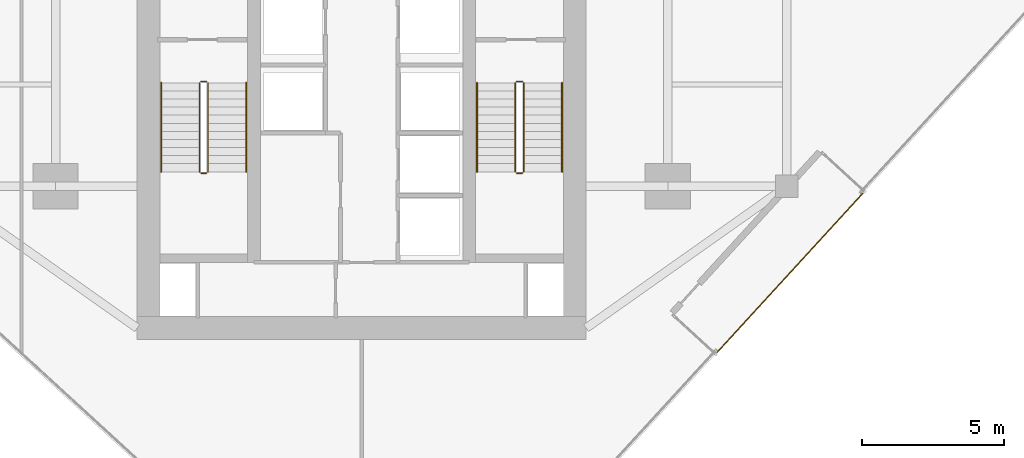
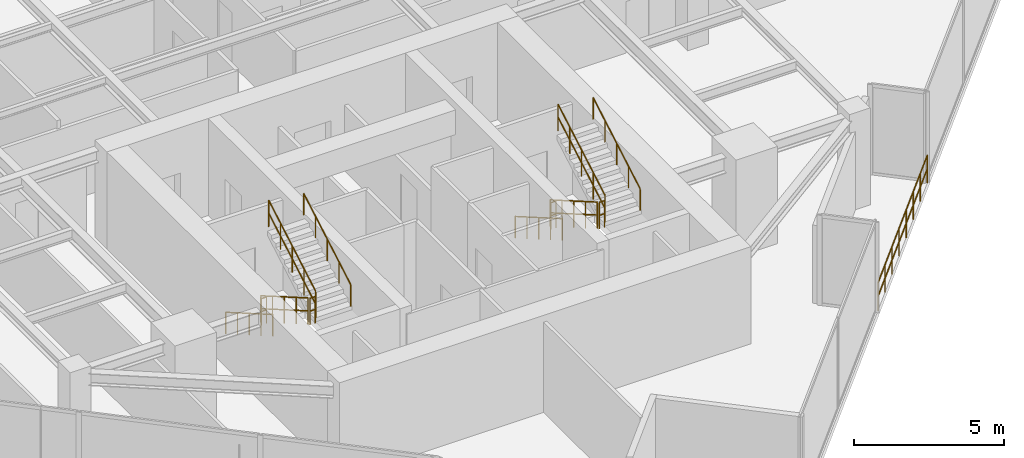
# One storey, part 25 of 26: 13 railings.
"""IFC4 building model written with IfcOpenShell, lengths in metres."""

from ifc_helpers import new_model, si_unit, direction, frame, origin, origin_2d, place, context, subcontext, project, spatial, circle, extrude, material, layer, layer_set, type_object, element, save


model = new_model("IFC4")

# Units and contexts
model_context = context("Model", 3, precision=1e-05, world=origin(), true_north=direction((0.0, 1.0)))
body_context = subcontext(model_context, "Body", "Model", "MODEL_VIEW")
ifc_project = project(units=[si_unit("LENGTHUNIT", "METRE"), si_unit("AREAUNIT", "SQUARE_METRE"), si_unit("VOLUMEUNIT", "CUBIC_METRE"), si_unit("PLANEANGLEUNIT", "RADIAN"), si_unit("MASSUNIT", "GRAM", prefix="KILO")], contexts=[model_context])

# Site, building, storey
site_placement = place(None, origin())
site = spatial("IfcSite", under=ifc_project, at=site_placement, CompositionType="ELEMENT")
building_placement = place(site_placement, origin())
building = spatial("IfcBuilding", under=site, at=building_placement, Name="Krantzveldt Concourse Tower", CompositionType="ELEMENT")
storey_placement = place(building_placement, frame((0.0, 0.0, 227.050048828125)))
storey = spatial("IfcBuildingStorey", under=building, at=storey_placement, Name="L55", CompositionType="ELEMENT", Elevation=227.050048828125)

# Railings
ifc_material = material(Name="Stainless steel 316L", Category="steel")
ifc_layer_1 = layer(ifc_material, 0.080078125, Name="Stainless steel 316L", Category="steel")
ifc_layer_set_1 = layer_set([ifc_layer_1], Name="Stainless steel 316L (RL-BALUSTRADE-1150)")
railing_type_1 = type_object("IfcRailingType", Name="RL-BALUSTRADE-1150", PredefinedType="BALUSTRADE", material=ifc_layer_set_1)
railing_1_placement = place(storey_placement, frame((48.546875, 10.048828125, 0.0)))
element("IfcRailing", 1, at=railing_1_placement, inside=storey, type_object=railing_type_1, Name="GD-L55-CTER-01", PredefinedType="BALUSTRADE", context=body_context, shape_type="SweptSolid", body=[
    extrude(circle(Radius=0.02392578125, at=origin_2d()), frame((0.0, 0.0, 1.1259765625), z_axis=(0.675595153214, 0.737272804974, 0.0), x_axis=(-0.737272804974, 0.675595153214, 0.0)), (0.0, 0.0, 1.0), 7.60009765625),
    extrude(circle(Radius=0.02392578125, at=origin_2d()), frame((0.0, 0.0, 0.574951171875), z_axis=(0.675595153214, 0.737272804974, 0.0), x_axis=(-0.737272804974, 0.675595153214, 0.0)), (0.0, 0.0, 1.0), 7.60009765625),
    extrude(circle(Radius=0.02099609375, at=origin_2d()), origin(), (0.0, 0.0, 1.0), 1.101806640625),
    extrude(circle(Radius=0.02099609375, at=origin_2d()), frame((0.7333984375, 0.800537109375, 0.0)), (0.0, 0.0, 1.0), 1.101806640625),
    extrude(circle(Radius=0.02099609375, at=origin_2d()), frame((1.467041015625, 1.600830078125, 0.0)), (0.0, 0.0, 1.0), 1.101806640625),
    extrude(circle(Radius=0.02099609375, at=origin_2d()), frame((2.200439453125, 2.4013671875, 0.0)), (0.0, 0.0, 1.0), 1.101806640625),
    extrude(circle(Radius=0.02099609375, at=origin_2d()), frame((2.93408203125, 3.201904296875, 0.0)), (0.0, 0.0, 1.0), 1.101806640625),
    extrude(circle(Radius=0.02099609375, at=origin_2d()), frame((3.66748046875, 4.00244140625, 0.0)), (0.0, 0.0, 1.0), 1.101806640625),
    extrude(circle(Radius=0.02099609375, at=origin_2d()), frame((4.401123046875, 4.802734375, 0.0)), (0.0, 0.0, 1.0), 1.101806640625),
    extrude(circle(Radius=0.02099609375, at=origin_2d()), frame((5.134521484375, 5.603271484375, 0.0)), (0.0, 0.0, 1.0), 1.101806640625),
])
ifc_layer_2 = layer(ifc_material, 0.06005859375, Name="Stainless steel 316L", Category="steel")
ifc_layer_set_2 = layer_set([ifc_layer_2], Name="Stainless steel 316L (RL-GUARD-1120)")
railing_type_2 = type_object("IfcRailingType", Name="RL-GUARD-1120", PredefinedType="GUARDRAIL", material=ifc_layer_set_2)
railing_2_placement = place(storey_placement, frame((30.280029296875, 19.550048828125, 0.16455078125)))
element("IfcRailing", 2, at=railing_2_placement, inside=storey, type_object=railing_type_2, Name="L55 ST-1 stair guard 1", PredefinedType="GUARDRAIL", context=body_context, shape_type="SweptSolid", body=[
    extrude(circle(Radius=0.02392578125, at=origin_2d()), frame((0.0, 0.0, 1.076171875), z_axis=(0.0, -0.865989039225, 0.500062979975), x_axis=(1.0, 0.0, 0.0)), (0.0, 0.0, 1.0), 3.6201171875),
    extrude(circle(Radius=0.02392578125, at=origin_2d()), frame((0.0, 0.0, 0.550048828125), z_axis=(0.0, -0.865989039225, 0.500062979975), x_axis=(1.0, 0.0, 0.0)), (0.0, 0.0, 1.0), 3.6201171875),
    extrude(circle(Radius=0.02099609375, at=origin_2d()), origin(), (0.0, 0.0, 1.0), 1.052001953125),
    extrude(circle(Radius=0.02099609375, at=origin_2d()), frame((0.0, -0.78369140625, 0.45263671875)), (0.0, 0.0, 1.0), 1.052001953125),
    extrude(circle(Radius=0.02099609375, at=origin_2d()), frame((0.0, -1.5673828125, 0.9052734375)), (0.0, 0.0, 1.0), 1.052001953125),
    extrude(circle(Radius=0.02099609375, at=origin_2d()), frame((0.0, -2.351318359375, 1.357666015625)), (0.0, 0.0, 1.0), 1.052001953125),
    extrude(circle(Radius=0.02099609375, at=origin_2d()), frame((0.0, -3.135009765625, 1.810302734375)), (0.0, 0.0, 1.0), 1.052001953125),
])
railing_3_placement = place(storey_placement, frame((30.330078125, 16.364990234375, 1.974853515625)))
element("IfcRailing", 3, at=railing_3_placement, inside=storey, type_object=railing_type_2, Name="L55 ST-1 stair guard 2", PredefinedType="GUARDRAIL", context=body_context, shape_type="SweptSolid", body=[
    extrude(circle(Radius=0.02392578125, at=origin_2d()), frame((0.0, 0.0, 1.076171875), z_axis=(1.0, 0.0, 0.0), x_axis=(0.0, 1.0, 0.0)), (0.0, 0.0, 1.0), 0.199951171875),
    extrude(circle(Radius=0.02392578125, at=origin_2d()), frame((0.0, 0.0, 0.550048828125), z_axis=(1.0, 0.0, 0.0), x_axis=(0.0, 1.0, 0.0)), (0.0, 0.0, 1.0), 0.199951171875),
    extrude(circle(Radius=0.02099609375, at=origin_2d()), origin(), (0.0, 0.0, 1.0), 1.052001953125),
    extrude(circle(Radius=0.02099609375, at=origin_2d()), frame((0.199951171875, 0.0, 0.0)), (0.0, 0.0, 1.0), 1.052001953125),
])
railing_4_placement = place(storey_placement, frame((30.580078125, 16.4150390625, 2.1396484375)))
element("IfcRailing", 4, at=railing_4_placement, inside=storey, type_object=railing_type_2, Name="L55 ST-1 stair guard 3", PredefinedType="GUARDRAIL", context=body_context, shape_type="SweptSolid", body=[
    extrude(circle(Radius=0.02392578125, at=origin_2d()), frame((0.0, 0.0, 1.076171875), z_axis=(0.0, 0.865989039225, 0.500062979975), x_axis=(-1.0, 0.0, 0.0)), (0.0, 0.0, 1.0), 3.6201171875),
    extrude(circle(Radius=0.02392578125, at=origin_2d()), frame((0.0, 0.0, 0.550048828125), z_axis=(0.0, 0.865989039225, 0.500062979975), x_axis=(-1.0, 0.0, 0.0)), (0.0, 0.0, 1.0), 3.6201171875),
    extrude(circle(Radius=0.02099609375, at=origin_2d()), origin(), (0.0, 0.0, 1.0), 1.052001953125),
    extrude(circle(Radius=0.02099609375, at=origin_2d()), frame((0.0, 0.78369140625, 0.45263671875)), (0.0, 0.0, 1.0), 1.052001953125),
    extrude(circle(Radius=0.02099609375, at=origin_2d()), frame((0.0, 1.5673828125, 0.9052734375)), (0.0, 0.0, 1.0), 1.052001953125),
    extrude(circle(Radius=0.02099609375, at=origin_2d()), frame((0.0, 2.351318359375, 1.357666015625)), (0.0, 0.0, 1.0), 1.052001953125),
    extrude(circle(Radius=0.02099609375, at=origin_2d()), frame((0.0, 3.135009765625, 1.810302734375)), (0.0, 0.0, 1.0), 1.052001953125),
])
railing_5_placement = place(storey_placement, frame((30.330078125, 19.60009765625, 0.0)))
element("IfcRailing", 5, at=railing_5_placement, inside=storey, type_object=railing_type_2, Name="L55 ST-1 stair guard 4", PredefinedType="GUARDRAIL", context=body_context, shape_type="SweptSolid", body=[
    extrude(circle(Radius=0.02392578125, at=origin_2d()), frame((0.0, 0.0, 1.076171875), z_axis=(1.0, 0.0, 0.0), x_axis=(0.0, 1.0, 0.0)), (0.0, 0.0, 1.0), 0.199951171875),
    extrude(circle(Radius=0.02392578125, at=origin_2d()), frame((0.0, 0.0, 0.550048828125), z_axis=(1.0, 0.0, 0.0), x_axis=(0.0, 1.0, 0.0)), (0.0, 0.0, 1.0), 0.199951171875),
    extrude(circle(Radius=0.02099609375, at=origin_2d()), origin(), (0.0, 0.0, 1.0), 1.052001953125),
    extrude(circle(Radius=0.02099609375, at=origin_2d()), frame((0.199951171875, 0.0, 0.0)), (0.0, 0.0, 1.0), 1.052001953125),
])
railing_6_placement = place(storey_placement, frame((41.419921875, 19.550048828125, 0.16455078125)))
element("IfcRailing", 6, at=railing_6_placement, inside=storey, type_object=railing_type_2, Name="L55 ST-2 stair guard 1", PredefinedType="GUARDRAIL", context=body_context, shape_type="SweptSolid", body=[
    extrude(circle(Radius=0.02392578125, at=origin_2d()), frame((0.0, 0.0, 1.076171875), z_axis=(0.0, -0.865989039225, 0.500062979975), x_axis=(1.0, 0.0, 0.0)), (0.0, 0.0, 1.0), 3.6201171875),
    extrude(circle(Radius=0.02392578125, at=origin_2d()), frame((0.0, 0.0, 0.550048828125), z_axis=(0.0, -0.865989039225, 0.500062979975), x_axis=(1.0, 0.0, 0.0)), (0.0, 0.0, 1.0), 3.6201171875),
    extrude(circle(Radius=0.02099609375, at=origin_2d()), origin(), (0.0, 0.0, 1.0), 1.052001953125),
    extrude(circle(Radius=0.02099609375, at=origin_2d()), frame((0.0, -0.78369140625, 0.45263671875)), (0.0, 0.0, 1.0), 1.052001953125),
    extrude(circle(Radius=0.02099609375, at=origin_2d()), frame((0.0, -1.5673828125, 0.9052734375)), (0.0, 0.0, 1.0), 1.052001953125),
    extrude(circle(Radius=0.02099609375, at=origin_2d()), frame((0.0, -2.351318359375, 1.357666015625)), (0.0, 0.0, 1.0), 1.052001953125),
    extrude(circle(Radius=0.02099609375, at=origin_2d()), frame((0.0, -3.135009765625, 1.810302734375)), (0.0, 0.0, 1.0), 1.052001953125),
])
railing_7_placement = place(storey_placement, frame((41.469970703125, 16.364990234375, 1.974853515625)))
element("IfcRailing", 7, at=railing_7_placement, inside=storey, type_object=railing_type_2, Name="L55 ST-2 stair guard 2", PredefinedType="GUARDRAIL", context=body_context, shape_type="SweptSolid", body=[
    extrude(circle(Radius=0.02392578125, at=origin_2d()), frame((0.0, 0.0, 1.076171875), z_axis=(1.0, 0.0, 0.0), x_axis=(0.0, 1.0, 0.0)), (0.0, 0.0, 1.0), 0.199951171875),
    extrude(circle(Radius=0.02392578125, at=origin_2d()), frame((0.0, 0.0, 0.550048828125), z_axis=(1.0, 0.0, 0.0), x_axis=(0.0, 1.0, 0.0)), (0.0, 0.0, 1.0), 0.199951171875),
    extrude(circle(Radius=0.02099609375, at=origin_2d()), origin(), (0.0, 0.0, 1.0), 1.052001953125),
    extrude(circle(Radius=0.02099609375, at=origin_2d()), frame((0.199951171875, 0.0, 0.0)), (0.0, 0.0, 1.0), 1.052001953125),
])
railing_8_placement = place(storey_placement, frame((41.719970703125, 16.4150390625, 2.1396484375)))
element("IfcRailing", 8, at=railing_8_placement, inside=storey, type_object=railing_type_2, Name="L55 ST-2 stair guard 3", PredefinedType="GUARDRAIL", context=body_context, shape_type="SweptSolid", body=[
    extrude(circle(Radius=0.02392578125, at=origin_2d()), frame((0.0, 0.0, 1.076171875), z_axis=(0.0, 0.865989039225, 0.500062979975), x_axis=(-1.0, 0.0, 0.0)), (0.0, 0.0, 1.0), 3.6201171875),
    extrude(circle(Radius=0.02392578125, at=origin_2d()), frame((0.0, 0.0, 0.550048828125), z_axis=(0.0, 0.865989039225, 0.500062979975), x_axis=(-1.0, 0.0, 0.0)), (0.0, 0.0, 1.0), 3.6201171875),
    extrude(circle(Radius=0.02099609375, at=origin_2d()), origin(), (0.0, 0.0, 1.0), 1.052001953125),
    extrude(circle(Radius=0.02099609375, at=origin_2d()), frame((0.0, 0.78369140625, 0.45263671875)), (0.0, 0.0, 1.0), 1.052001953125),
    extrude(circle(Radius=0.02099609375, at=origin_2d()), frame((0.0, 1.5673828125, 0.9052734375)), (0.0, 0.0, 1.0), 1.052001953125),
    extrude(circle(Radius=0.02099609375, at=origin_2d()), frame((0.0, 2.351318359375, 1.357666015625)), (0.0, 0.0, 1.0), 1.052001953125),
    extrude(circle(Radius=0.02099609375, at=origin_2d()), frame((0.0, 3.135009765625, 1.810302734375)), (0.0, 0.0, 1.0), 1.052001953125),
])
railing_9_placement = place(storey_placement, frame((41.469970703125, 19.60009765625, 0.0)))
element("IfcRailing", 9, at=railing_9_placement, inside=storey, type_object=railing_type_2, Name="L55 ST-2 stair guard 4", PredefinedType="GUARDRAIL", context=body_context, shape_type="SweptSolid", body=[
    extrude(circle(Radius=0.02392578125, at=origin_2d()), frame((0.0, 0.0, 1.076171875), z_axis=(1.0, 0.0, 0.0), x_axis=(0.0, 1.0, 0.0)), (0.0, 0.0, 1.0), 0.199951171875),
    extrude(circle(Radius=0.02392578125, at=origin_2d()), frame((0.0, 0.0, 0.550048828125), z_axis=(1.0, 0.0, 0.0), x_axis=(0.0, 1.0, 0.0)), (0.0, 0.0, 1.0), 0.199951171875),
    extrude(circle(Radius=0.02099609375, at=origin_2d()), origin(), (0.0, 0.0, 1.0), 1.052001953125),
    extrude(circle(Radius=0.02099609375, at=origin_2d()), frame((0.199951171875, 0.0, 0.0)), (0.0, 0.0, 1.0), 1.052001953125),
])
ifc_layer_3 = layer(ifc_material, 0.050048828125, Name="Stainless steel 316L", Category="steel")
ifc_layer_set_3 = layer_set([ifc_layer_3], Name="Stainless steel 316L (RL-HANDRAIL-920)")
railing_type_3 = type_object("IfcRailingType", Name="RL-HANDRAIL-920", PredefinedType="HANDRAIL", material=ifc_layer_set_3)
railing_10_placement = place(storey_placement, frame((28.929931640625, 19.550048828125, 0.16455078125)))
element("IfcRailing", 10, at=railing_10_placement, inside=storey, type_object=railing_type_3, Name="L55 ST-1 stair handrail 1", PredefinedType="HANDRAIL", context=body_context, shape_type="SweptSolid", body=[
    extrude(circle(Radius=0.02392578125, at=origin_2d()), frame((0.0, 0.0, 0.8759765625), z_axis=(0.0, -0.865989039225, 0.500062979975), x_axis=(1.0, 0.0, 0.0)), (0.0, 0.0, 1.0), 3.6201171875),
    extrude(circle(Radius=0.02099609375, at=origin_2d()), origin(), (0.0, 0.0, 1.0), 0.851806640625),
    extrude(circle(Radius=0.02099609375, at=origin_2d()), frame((0.0, -0.78369140625, 0.45263671875)), (0.0, 0.0, 1.0), 0.851806640625),
    extrude(circle(Radius=0.02099609375, at=origin_2d()), frame((0.0, -1.5673828125, 0.9052734375)), (0.0, 0.0, 1.0), 0.851806640625),
    extrude(circle(Radius=0.02099609375, at=origin_2d()), frame((0.0, -2.351318359375, 1.357666015625)), (0.0, 0.0, 1.0), 0.851806640625),
    extrude(circle(Radius=0.02099609375, at=origin_2d()), frame((0.0, -3.135009765625, 1.810302734375)), (0.0, 0.0, 1.0), 0.851806640625),
])
railing_11_placement = place(storey_placement, frame((31.929931640625, 16.4150390625, 2.1396484375)))
element("IfcRailing", 11, at=railing_11_placement, inside=storey, type_object=railing_type_3, Name="L55 ST-1 stair handrail 2", PredefinedType="HANDRAIL", context=body_context, shape_type="SweptSolid", body=[
    extrude(circle(Radius=0.02392578125, at=origin_2d()), frame((0.0, 0.0, 0.8759765625), z_axis=(0.0, 0.865989039225, 0.500062979975), x_axis=(-1.0, 0.0, 0.0)), (0.0, 0.0, 1.0), 3.6201171875),
    extrude(circle(Radius=0.02099609375, at=origin_2d()), origin(), (0.0, 0.0, 1.0), 0.851806640625),
    extrude(circle(Radius=0.02099609375, at=origin_2d()), frame((0.0, 0.78369140625, 0.45263671875)), (0.0, 0.0, 1.0), 0.851806640625),
    extrude(circle(Radius=0.02099609375, at=origin_2d()), frame((0.0, 1.5673828125, 0.9052734375)), (0.0, 0.0, 1.0), 0.851806640625),
    extrude(circle(Radius=0.02099609375, at=origin_2d()), frame((0.0, 2.351318359375, 1.357666015625)), (0.0, 0.0, 1.0), 0.851806640625),
    extrude(circle(Radius=0.02099609375, at=origin_2d()), frame((0.0, 3.135009765625, 1.810302734375)), (0.0, 0.0, 1.0), 0.851806640625),
])
railing_12_placement = place(storey_placement, frame((40.070068359375, 19.550048828125, 0.16455078125)))
element("IfcRailing", 12, at=railing_12_placement, inside=storey, type_object=railing_type_3, Name="L55 ST-2 stair handrail 1", PredefinedType="HANDRAIL", context=body_context, shape_type="SweptSolid", body=[
    extrude(circle(Radius=0.02392578125, at=origin_2d()), frame((0.0, 0.0, 0.8759765625), z_axis=(0.0, -0.865989039225, 0.500062979975), x_axis=(1.0, 0.0, 0.0)), (0.0, 0.0, 1.0), 3.6201171875),
    extrude(circle(Radius=0.02099609375, at=origin_2d()), origin(), (0.0, 0.0, 1.0), 0.851806640625),
    extrude(circle(Radius=0.02099609375, at=origin_2d()), frame((0.0, -0.78369140625, 0.45263671875)), (0.0, 0.0, 1.0), 0.851806640625),
    extrude(circle(Radius=0.02099609375, at=origin_2d()), frame((0.0, -1.5673828125, 0.9052734375)), (0.0, 0.0, 1.0), 0.851806640625),
    extrude(circle(Radius=0.02099609375, at=origin_2d()), frame((0.0, -2.351318359375, 1.357666015625)), (0.0, 0.0, 1.0), 0.851806640625),
    extrude(circle(Radius=0.02099609375, at=origin_2d()), frame((0.0, -3.135009765625, 1.810302734375)), (0.0, 0.0, 1.0), 0.851806640625),
])
railing_13_placement = place(storey_placement, frame((43.070068359375, 16.4150390625, 2.1396484375)))
element("IfcRailing", 13, at=railing_13_placement, inside=storey, type_object=railing_type_3, Name="L55 ST-2 stair handrail 2", PredefinedType="HANDRAIL", context=body_context, shape_type="SweptSolid", body=[
    extrude(circle(Radius=0.02392578125, at=origin_2d()), frame((0.0, 0.0, 0.8759765625), z_axis=(0.0, 0.865989039225, 0.500062979975), x_axis=(-1.0, 0.0, 0.0)), (0.0, 0.0, 1.0), 3.6201171875),
    extrude(circle(Radius=0.02099609375, at=origin_2d()), origin(), (0.0, 0.0, 1.0), 0.851806640625),
    extrude(circle(Radius=0.02099609375, at=origin_2d()), frame((0.0, 0.78369140625, 0.45263671875)), (0.0, 0.0, 1.0), 0.851806640625),
    extrude(circle(Radius=0.02099609375, at=origin_2d()), frame((0.0, 1.5673828125, 0.9052734375)), (0.0, 0.0, 1.0), 0.851806640625),
    extrude(circle(Radius=0.02099609375, at=origin_2d()), frame((0.0, 2.351318359375, 1.357666015625)), (0.0, 0.0, 1.0), 0.851806640625),
    extrude(circle(Radius=0.02099609375, at=origin_2d()), frame((0.0, 3.135009765625, 1.810302734375)), (0.0, 0.0, 1.0), 0.851806640625),
])

save(model, "model.ifc")
